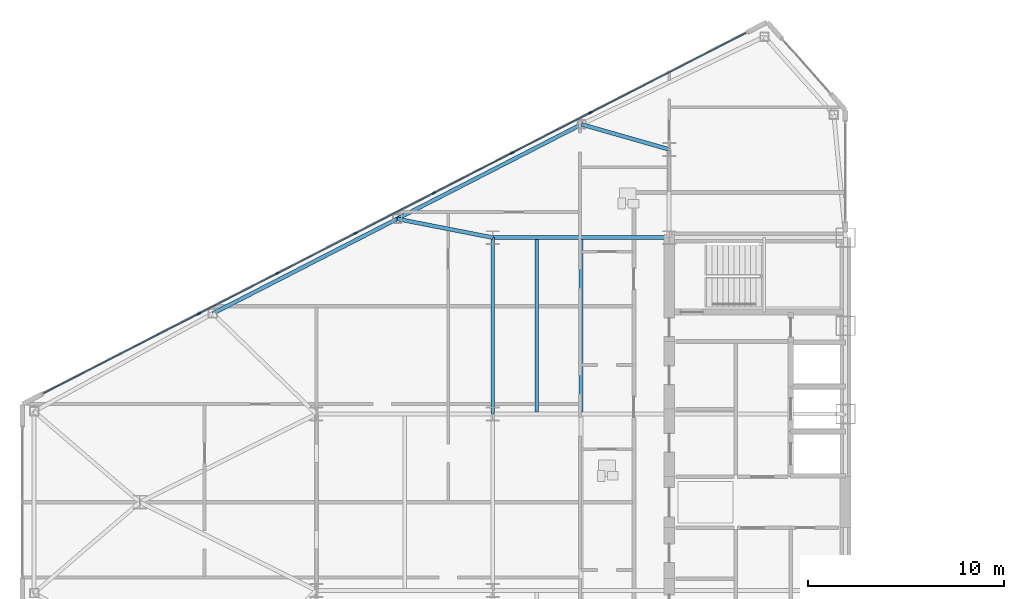
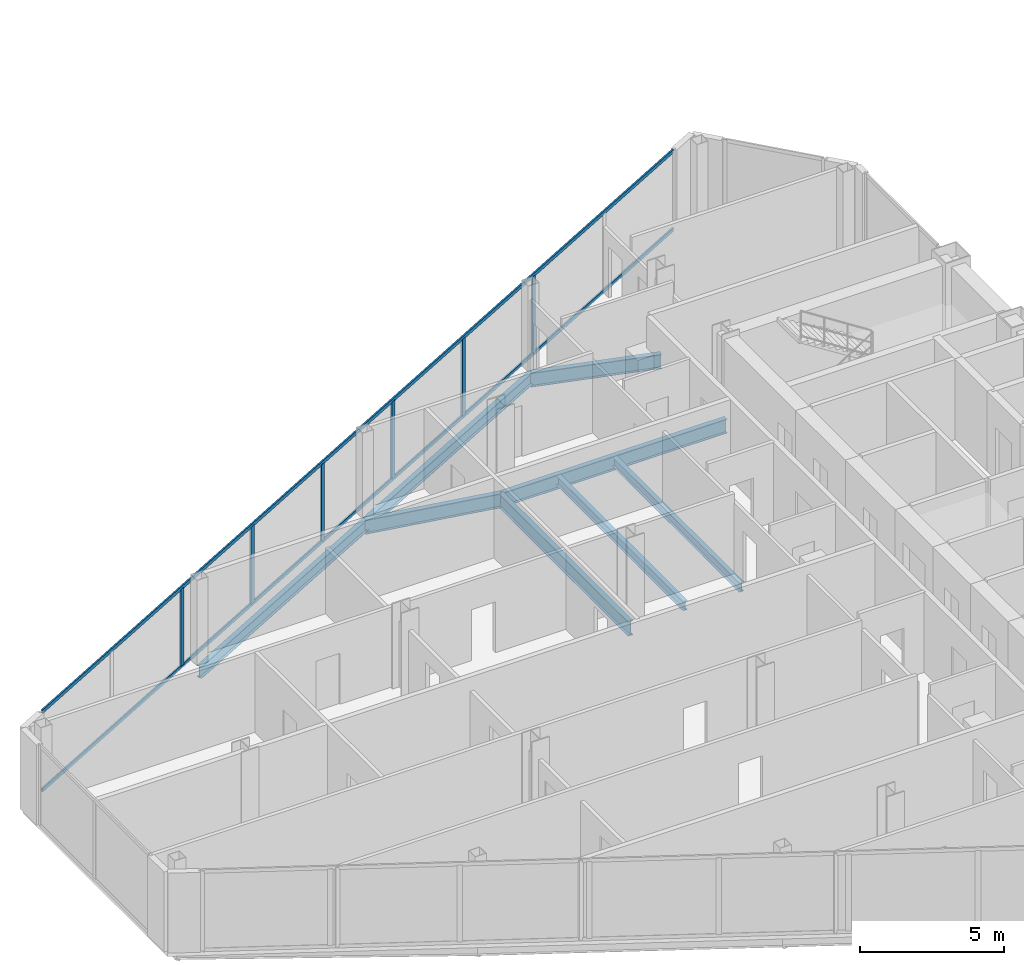
# One storey, part 6 of 23: 8 beams, 8 members, 1 element without a shape of its own.
"""IFC4 building model written with IfcOpenShell, lengths in metres."""

from ifc_helpers import new_model, si_unit, direction, frame, origin, origin_2d, place, context, subcontext, project, spatial, rectangle, i_section, extrude, source, transform, mapped, material, layer, layer_set, material_profile, profile_set, type_object, type_shapes, element, aggregate, save


model = new_model("IFC4")

# Units and contexts
model_context = context("Model", 3, precision=1e-05, world=origin(), true_north=direction((0.0, 1.0)))
body_context = subcontext(model_context, "Body", "Model", "MODEL_VIEW")
ifc_project = project(units=[si_unit("LENGTHUNIT", "METRE"), si_unit("AREAUNIT", "SQUARE_METRE"), si_unit("VOLUMEUNIT", "CUBIC_METRE"), si_unit("PLANEANGLEUNIT", "RADIAN"), si_unit("MASSUNIT", "GRAM", prefix="KILO")], contexts=[model_context])

# Site, building, storey
site_placement = place(None, origin())
site = spatial("IfcSite", under=ifc_project, at=site_placement, CompositionType="ELEMENT")
building_placement = place(site_placement, origin())
building = spatial("IfcBuilding", under=site, at=building_placement, Name="Seokmaru Belvedere", CompositionType="ELEMENT")
storey_placement = place(building_placement, frame((0.0, 0.0, 147.60009765625)))
storey = spatial("IfcBuildingStorey", under=building, at=storey_placement, Name="L39", CompositionType="ELEMENT", Elevation=147.60009765625)

# Beams
ifc_material_1 = material(Name="Steel SM355 (355 MPa)", Category="steel")
ifc_material_profile_1 = material_profile(ifc_material_1, i_section(OverallWidth=0.199951171875, OverallDepth=0.60009765625, WebThickness=0.010986328125, FlangeThickness=0.01708984375, at=origin_2d()), Name="H-600x200x11x17")
ifc_profile_set_1 = profile_set([ifc_material_profile_1], Name="Steel SM355 (355 MPa)")
beam_type_1 = type_object("IfcBeamType", Name="Primary Floor Girder H-600", PredefinedType="BEAM", material=ifc_profile_set_1)
shared_shape_1 = source(origin(), body_context, "Body", "SweptSolid", [
    extrude(i_section(OverallWidth=0.199951171875, OverallDepth=0.60009765625, WebThickness=0.010986328125, FlangeThickness=0.01708984375, at=origin_2d()), origin(), (0.0, 0.0, 1.0), 9.0),
])
for number, where, z_axis, x_axis, name in (
    (1, (-45.5, 4.5, -0.52001953125), (0.0, 1.0, 0.0), (-1.0, 0.0, 0.0), "L39 W Interior Grid Girder 3"),
    (2, (-45.5, 13.5, -0.52001953125), (1.0, 0.0, 0.0), (0.0, 1.0, 0.0), "L39 W Wing Primary Girder 4"),
):
    element("IfcBeam", number, at=place(storey_placement, frame(where, z_axis=z_axis, x_axis=x_axis)), inside=storey, type_object=beam_type_1, Name=name, PredefinedType="BEAM", context=body_context, shape_type="MappedRepresentation", body=[
        mapped(shared_shape_1, transform((0.0, 0.0, 0.0), scale=1.0)),
    ])
ifc_material_profile_2 = material_profile(ifc_material_1, i_section(OverallWidth=0.18505859375, OverallDepth=0.389892578125, WebThickness=0.008056640625, FlangeThickness=0.011962890625, at=origin_2d()), Name="H-390x185x8x12")
ifc_profile_set_2 = profile_set([ifc_material_profile_2], Name="Steel SM355 (355 MPa)")
beam_type_2 = type_object("IfcBeamType", Name="Secondary Floor Joist H-350", PredefinedType="JOIST", material=ifc_profile_set_2)
shared_shape_2 = source(origin(), body_context, "Body", "SweptSolid", [
    extrude(i_section(OverallWidth=0.18505859375, OverallDepth=0.389892578125, WebThickness=0.008056640625, FlangeThickness=0.011962890625, at=origin_2d()), origin(), (0.0, 0.0, 1.0), 8.7900390625),
])
type_shapes(beam_type_2, [shared_shape_2])
for number, where, z_axis, x_axis, name in (
    (3, (-43.25, 4.60498046875, -0.4150390625), (0.0, 1.0, 0.0), (-1.0, 0.0, 0.0), "L39 W Wing Inner Secondary Joist 2"),
    (4, (-41.0, 4.60498046875, -0.4150390625), (0.0, 1.0, 0.0), (-1.0, 0.0, 0.0), "L39 W Secondary Floor Joist 3"),
):
    element("IfcBeam", number, at=place(storey_placement, frame(where, z_axis=z_axis, x_axis=x_axis)), inside=storey, type_object=beam_type_2, Name=name, PredefinedType="JOIST", context=body_context, shape_type="MappedRepresentation", body=[
        mapped(shared_shape_2, transform((0.0, 0.0, 0.0), scale=1.0)),
    ])
ifc_material_profile_3 = material_profile(ifc_material_1, i_section(OverallWidth=0.199951171875, OverallDepth=0.5, WebThickness=0.010009765625, FlangeThickness=0.01611328125, at=origin_2d()), Name="H-500x200x10x16")
ifc_profile_set_3 = profile_set([ifc_material_profile_3], Name="Steel SM355 (355 MPa)")
beam_type_3 = type_object("IfcBeamType", Name="Perimeter Spandrel Beam H-500", PredefinedType="SPANDREL", material=ifc_profile_set_3)
shared_shape_3 = source(origin(), body_context, "Body", "SweptSolid", [
    extrude(i_section(OverallWidth=0.199951171875, OverallDepth=0.5, WebThickness=0.010009765625, FlangeThickness=0.01611328125, at=origin_2d()), origin(), (0.0, 0.0, 1.0), 10.56689453125),
])
type_shapes(beam_type_3, [shared_shape_3])
for number, where, z_axis, x_axis, name in (
    (5, (-40.975830078125, 19.277587890625, -0.47021484375), (-0.889701972758, -0.45654178305, 0.0), (0.45654178305, -0.889701972758, 0.0), "L39 W Faceted Flank Spandrel N-2"),
    (6, (-50.377197265625, 14.453369140625, -0.47021484375), (-0.889692588006, -0.456560071455, 0.0), (0.456560071455, -0.889692588006, 0.0), "L39 W Faceted Flank Spandrel N-3"),
):
    element("IfcBeam", number, at=place(storey_placement, frame(where, z_axis=z_axis, x_axis=x_axis)), inside=storey, type_object=beam_type_3, Name=name, PredefinedType="SPANDREL", context=body_context, shape_type="MappedRepresentation", body=[
        mapped(shared_shape_3, transform((0.0, 0.0, 0.0), scale=1.0)),
    ])
shared_shape_4 = source(origin(), body_context, "Body", "SweptSolid", [
    extrude(i_section(OverallWidth=0.199951171875, OverallDepth=0.60009765625, WebThickness=0.010986328125, FlangeThickness=0.01708984375, at=origin_2d()), origin(), (0.0, 0.0, 1.0), 4.654541015625),
])
beam_1_placement = place(storey_placement, frame((-40.975830078125, 19.277587890625, -0.52001953125), z_axis=(0.961593192625, -0.274478654721, 0.0), x_axis=(0.274478654721, 0.961593192625, 0.0)))
element("IfcBeam", 7, at=beam_1_placement, inside=storey, type_object=beam_type_1, Name="L39 W Flank Radial Floor Girder N-1", PredefinedType="BEAM", context=body_context, shape_type="MappedRepresentation", body=[
    mapped(shared_shape_4, transform((0.0, 0.0, 0.0), scale=1.0)),
])
shared_shape_5 = source(origin(), body_context, "Body", "SweptSolid", [
    extrude(i_section(OverallWidth=0.199951171875, OverallDepth=0.60009765625, WebThickness=0.010986328125, FlangeThickness=0.01708984375, at=origin_2d()), origin(), (0.0, 0.0, 1.0), 4.969482421875),
])
type_shapes(beam_type_1, [shared_shape_1, shared_shape_4, shared_shape_5])
beam_2_placement = place(storey_placement, frame((-50.377197265625, 14.453369140625, -0.52001953125), z_axis=(0.98142544456, -0.19184393858, 0.0), x_axis=(0.19184393858, 0.98142544456, 0.0)))
element("IfcBeam", 8, at=beam_2_placement, inside=storey, type_object=beam_type_1, Name="L39 W Flank Radial Floor Girder N-2", PredefinedType="BEAM", context=body_context, shape_type="MappedRepresentation", body=[
    mapped(shared_shape_5, transform((0.0, 0.0, 0.0), scale=1.0)),
])

# Curtain wall, members
ifc_material_2 = material(Name="Bronze Triple Insulating Glass", Category="glass")
ifc_layer = layer(ifc_material_2, 0.195068359375)
ifc_layer_set = layer_set([ifc_layer], Name="Bronze Triple Insulating Glass")
curtain_wall_type = type_object("IfcCurtainWallType", Name="Sky-Lobby and Mid-Rise Curtain Wall System CW-4", PredefinedType="NOTDEFINED", material=ifc_layer_set)
curtain_wall_placement = place(storey_placement, origin())
curtain_wall = element("IfcCurtainWall", 9, at=curtain_wall_placement, inside=storey, type_object=curtain_wall_type, Name="L39 Curtain Wall WF3", PredefinedType="NOTDEFINED")
ifc_material_3 = material(Name="Anodised Bronze Aluminium", Category="aluminium")
ifc_material_profile_4 = material_profile(ifc_material_3, rectangle(XDim=0.070068359375, YDim=0.195068359375, at=origin_2d()), Name="CW-M-70x195")
ifc_profile_set_4 = profile_set([ifc_material_profile_4], Name="Anodised Bronze Aluminium")
member_type_1 = type_object("IfcMemberType", Name="Bronze Unitised Mullion 70x195", PredefinedType="MULLION", material=ifc_profile_set_4)
shared_shape_6 = source(origin(), body_context, "Body", "SweptSolid", [
    extrude(rectangle(XDim=0.070068359375, YDim=0.195068359375, at=origin_2d()), origin(), (0.0, 0.0, 1.0), 3.25),
])
type_shapes(member_type_1, [shared_shape_6])
member_1_placement = place(storey_placement, frame((-40.5126953125, 19.875, 0.06494140625), z_axis=(0.0, 0.0, 1.0), x_axis=(0.456554528263, -0.889695432562, 0.0)))
member_1 = element("IfcMember", 10, at=member_1_placement, type_object=member_type_1, Name="CW:L39:WF3 Mullion 3", PredefinedType="MULLION", context=body_context, shape_type="MappedRepresentation", body=[
    mapped(shared_shape_6, transform((0.0, 0.0, 0.0), scale=1.0)),
])
member_2_placement = place(storey_placement, frame((-44.5078125, 17.824951171875, 0.06494140625), z_axis=(0.0, 0.0, 1.0), x_axis=(0.456554528263, -0.889695432562, 0.0)))
member_2 = element("IfcMember", 11, at=member_2_placement, type_object=member_type_1, Name="CW:L39:WF3 Mullion 4", PredefinedType="MULLION", context=body_context, shape_type="MappedRepresentation", body=[
    mapped(shared_shape_6, transform((0.0, 0.0, 0.0), scale=1.0)),
])
member_3_placement = place(storey_placement, frame((-48.502685546875, 15.77490234375, 0.06494140625), z_axis=(0.0, 0.0, 1.0), x_axis=(0.456554528263, -0.889695432562, 0.0)))
member_3 = element("IfcMember", 12, at=member_3_placement, type_object=member_type_1, Name="CW:L39:WF3 Mullion 5", PredefinedType="MULLION", context=body_context, shape_type="MappedRepresentation", body=[
    mapped(shared_shape_6, transform((0.0, 0.0, 0.0), scale=1.0)),
])
member_4_placement = place(storey_placement, frame((-52.497314453125, 13.72509765625, 0.06494140625), z_axis=(0.0, 0.0, 1.0), x_axis=(0.456554528263, -0.889695432562, 0.0)))
member_4 = element("IfcMember", 13, at=member_4_placement, type_object=member_type_1, Name="CW:L39:WF3 Mullion 6", PredefinedType="MULLION", context=body_context, shape_type="MappedRepresentation", body=[
    mapped(shared_shape_6, transform((0.0, 0.0, 0.0), scale=1.0)),
])
member_5_placement = place(storey_placement, frame((-56.4921875, 11.675048828125, 0.06494140625), z_axis=(0.0, 0.0, 1.0), x_axis=(0.456554528263, -0.889695432562, 0.0)))
member_5 = element("IfcMember", 14, at=member_5_placement, type_object=member_type_1, Name="CW:L39:WF3 Mullion 7", PredefinedType="MULLION", context=body_context, shape_type="MappedRepresentation", body=[
    mapped(shared_shape_6, transform((0.0, 0.0, 0.0), scale=1.0)),
])
member_6_placement = place(storey_placement, frame((-60.4873046875, 9.625, 0.06494140625), z_axis=(0.0, 0.0, 1.0), x_axis=(0.456554528263, -0.889695432562, 0.0)))
member_6 = element("IfcMember", 15, at=member_6_placement, type_object=member_type_1, Name="CW:L39:WF3 Mullion 8", PredefinedType="MULLION", context=body_context, shape_type="MappedRepresentation", body=[
    mapped(shared_shape_6, transform((0.0, 0.0, 0.0), scale=1.0)),
])
ifc_material_profile_5 = material_profile(ifc_material_3, rectangle(XDim=0.06494140625, YDim=0.14990234375, at=origin_2d()), Name="CW-T-65x150")
ifc_profile_set_5 = profile_set([ifc_material_profile_5], Name="Anodised Bronze Aluminium")
member_type_2 = type_object("IfcMemberType", Name="Bronze Unitised Transom 65x150", PredefinedType="USERDEFINED", material=ifc_profile_set_5)
shared_shape_7 = source(origin(), body_context, "Body", "SweptSolid", [
    extrude(rectangle(XDim=0.06494140625, YDim=0.14990234375, at=origin_2d()), origin(), (0.0, 0.0, 1.0), 40.271240234375),
])
type_shapes(member_type_2, [shared_shape_7])
member_7_placement = place(storey_placement, frame((-32.58544921875, 23.943115234375, 0.032470703125), z_axis=(-0.889693089107, -0.456559094965, 0.0), x_axis=(0.456559094965, -0.889693089107, 0.0)))
member_7 = element("IfcMember", 16, at=member_7_placement, type_object=member_type_2, Name="CW:L39:WF3 Continuous Transom 1", ObjectType="TRANSOM", PredefinedType="USERDEFINED", context=body_context, shape_type="MappedRepresentation", body=[
    mapped(shared_shape_7, transform((0.0, 0.0, 0.0), scale=1.0)),
])
member_8_placement = place(storey_placement, frame((-32.58544921875, 23.943115234375, 3.347412109375), z_axis=(-0.889693089107, -0.456559094965, 0.0), x_axis=(0.456559094965, -0.889693089107, 0.0)))
member_8 = element("IfcMember", 17, at=member_8_placement, type_object=member_type_2, Name="CW:L39:WF3 Continuous Transom 2", ObjectType="TRANSOM", PredefinedType="USERDEFINED", context=body_context, shape_type="MappedRepresentation", body=[
    mapped(shared_shape_7, transform((0.0, 0.0, 0.0), scale=1.0)),
])
aggregate(curtain_wall, [member_1, member_2, member_3, member_4, member_5, member_6, member_7, member_8])

save(model, "model.ifc")
